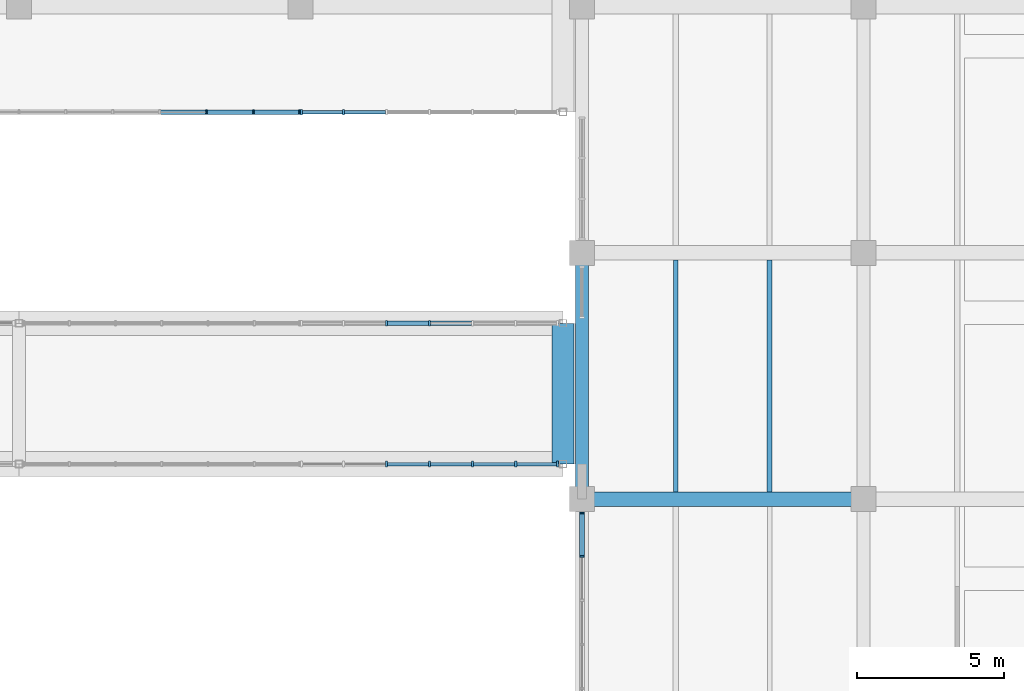
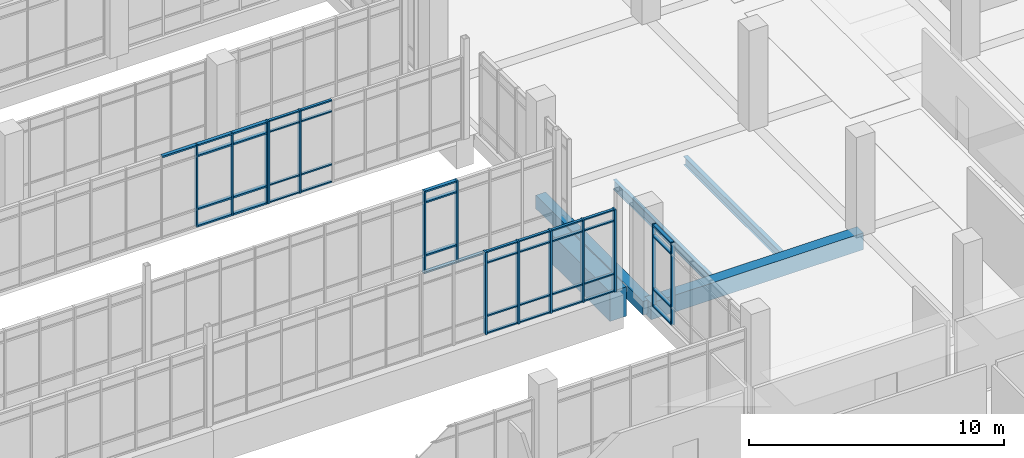
# One storey, part 57 of 152: 56 members, 5 beams, 5 elements without a shape of their own.
"""IFC4 building model written with IfcOpenShell, lengths in metres."""

from ifc_helpers import new_model, si_unit, direction, frame, origin, origin_2d, place, context, subcontext, project, spatial, rectangle, i_section, extrude, material, material_profile, profile_set, type_object, element, aggregate, save


model = new_model("IFC4")

# Units and contexts
model_context = context("Model", 3, precision=1e-05, world=origin(), true_north=direction((0.0, 1.0)))
body_context = subcontext(model_context, "Body", "Model", "MODEL_VIEW")
ifc_project = project(units=[si_unit("LENGTHUNIT", "METRE"), si_unit("AREAUNIT", "SQUARE_METRE"), si_unit("VOLUMEUNIT", "CUBIC_METRE"), si_unit("PLANEANGLEUNIT", "RADIAN"), si_unit("MASSUNIT", "GRAM", prefix="KILO")], contexts=[model_context])

# Site, building, storey
site_placement = place(None, origin())
site = spatial("IfcSite", under=ifc_project, at=site_placement, CompositionType="ELEMENT")
building_placement = place(site_placement, origin())
building = spatial("IfcBuilding", under=site, at=building_placement, Name="Oolite Switchyard Hospital", CompositionType="ELEMENT")
storey_placement = place(building_placement, frame((0.0, 0.0, 5.10009765625)))
storey = spatial("IfcBuildingStorey", under=building, at=storey_placement, Name="L01", CompositionType="ELEMENT", Elevation=5.10009765625)

# Beams
ifc_material_1 = material(Name="Concrete C40/50", Category="concrete")
ifc_material_profile_1 = material_profile(ifc_material_1, rectangle(XDim=0.449951171875, YDim=0.64990234375, at=origin_2d()), Name="RCB450X650")
ifc_profile_set_1 = profile_set([ifc_material_profile_1], Name="Concrete C40/50")
beam_type_1 = type_object("IfcBeamType", Name="BM-RC450X650", PredefinedType="BEAM", material=ifc_profile_set_1)
beam_1_placement = place(storey_placement, frame((182.39990234375, 33.60009765625, -0.3251953125), z_axis=(0.0, 1.0, 0.0), x_axis=(-1.0, 0.0, 0.0)))
element("IfcBeam", 1, at=beam_1_placement, inside=storey, type_object=beam_type_1, Name="L01 Y-Girder 514", PredefinedType="BEAM", context=body_context, shape_type="SweptSolid", body=[
    extrude(rectangle(XDim=0.449951171875, YDim=0.64990234375, at=origin_2d()), origin(), (0.0, 0.0, 1.0), 8.39990234375),
])
ifc_material_profile_2 = material_profile(ifc_material_1, rectangle(XDim=0.5, YDim=0.800048828125, at=origin_2d()), Name="RCB500X800")
ifc_profile_set_2 = profile_set([ifc_material_profile_2], Name="Concrete C40/50")
beam_type_2 = type_object("IfcBeamType", Name="BM-RC500X800", PredefinedType="BEAM", material=ifc_profile_set_2)
beam_2_placement = place(storey_placement, frame((182.39990234375, 33.60009765625, -0.400146484375), z_axis=(1.0, 0.0, 0.0), x_axis=(0.0, 1.0, 0.0)))
element("IfcBeam", 2, at=beam_2_placement, inside=storey, type_object=beam_type_2, Name="L01 X-Girder 77", PredefinedType="BEAM", context=body_context, shape_type="SweptSolid", body=[
    extrude(rectangle(XDim=0.5, YDim=0.800048828125, at=origin_2d()), origin(), (0.0, 0.0, 1.0), 9.60009765625),
])
ifc_material_profile_3 = material_profile(ifc_material_1, rectangle(XDim=0.75, YDim=1.39990234375, at=origin_2d()), Name="RCT750X1400")
ifc_profile_set_3 = profile_set([ifc_material_profile_3], Name="Concrete C40/50")
beam_type_3 = type_object("IfcBeamType", Name="BM-TR750X1400", PredefinedType="BEAM", material=ifc_profile_set_3)
beam_3_placement = place(storey_placement, frame((181.75, 34.800048828125, -0.7001953125), z_axis=(0.0, 1.0, 0.0), x_axis=(-1.0, 0.0, 0.0)))
element("IfcBeam", 3, at=beam_3_placement, inside=storey, type_object=beam_type_3, Name="L01 Y-Girder 509", PredefinedType="BEAM", context=body_context, shape_type="SweptSolid", body=[
    extrude(rectangle(XDim=0.75, YDim=1.39990234375, at=origin_2d()), origin(), (0.0, 0.0, 1.0), 4.800048828125),
])
ifc_material_2 = material(Name="Steel ASTM A992 Grade 50", Category="steel")
ifc_material_profile_4 = material_profile(ifc_material_2, i_section(OverallWidth=0.179931640625, OverallDepth=0.4130859375, WebThickness=0.010009765625, FlangeThickness=0.01611328125, at=origin_2d()), Name="W16X50")
ifc_profile_set_4 = profile_set([ifc_material_profile_4], Name="Steel ASTM A992 Grade 50")
beam_type_4 = type_object("IfcBeamType", Name="BM-W16X50", PredefinedType="JOIST", material=ifc_profile_set_4)
beam_4_placement = place(storey_placement, frame((188.800048828125, 33.85009765625, -0.482177734375), z_axis=(0.0, 1.0, 0.0), x_axis=(-1.0, 0.0, 0.0)))
element("IfcBeam", 4, at=beam_4_placement, inside=storey, type_object=beam_type_4, Name="L01 Secondary Steel Joist 935", PredefinedType="JOIST", context=body_context, shape_type="SweptSolid", body=[
    extrude(i_section(OverallWidth=0.179931640625, OverallDepth=0.4130859375, WebThickness=0.010009765625, FlangeThickness=0.01611328125, at=origin_2d()), origin(), (0.0, 0.0, 1.0), 7.89990234375),
])
ifc_material_profile_5 = material_profile(ifc_material_2, i_section(OverallWidth=0.153076171875, OverallDepth=0.455078125, WebThickness=0.008056640625, FlangeThickness=0.012939453125, at=origin_2d()), Name="W18X40")
ifc_profile_set_5 = profile_set([ifc_material_profile_5], Name="Steel ASTM A992 Grade 50")
beam_type_5 = type_object("IfcBeamType", Name="BM-W18X40", PredefinedType="JOIST", material=ifc_profile_set_5)
beam_5_placement = place(storey_placement, frame((185.60009765625, 33.85009765625, -0.503173828125), z_axis=(0.0, 1.0, 0.0), x_axis=(-1.0, 0.0, 0.0)))
element("IfcBeam", 5, at=beam_5_placement, inside=storey, type_object=beam_type_5, Name="L01 Secondary Steel Joist 934", PredefinedType="JOIST", context=body_context, shape_type="SweptSolid", body=[
    extrude(i_section(OverallWidth=0.153076171875, OverallDepth=0.455078125, WebThickness=0.008056640625, FlangeThickness=0.012939453125, at=origin_2d()), origin(), (0.0, 0.0, 1.0), 7.89990234375),
])

# Curtain wall, members
ifc_material_3 = material(Name="Thermally broken aluminum frame with laminated impact glazing", Category="aluminium")
curtain_wall_type_1 = type_object("IfcCurtainWallType", Name="CW-BRG-96X38", PredefinedType="USERDEFINED", material=ifc_material_3)
curtain_wall_1_placement = place(storey_placement, origin())
curtain_wall_1 = element("IfcCurtainWall", 6, at=curtain_wall_1_placement, inside=storey, type_object=curtain_wall_type_1, Name="L01 Unitised Curtain Wall 125", ObjectType="UNITISED", PredefinedType="USERDEFINED")
ifc_material_4 = material(Name="Aluminium 6063-T6", Category="aluminium")
ifc_material_profile_6 = material_profile(ifc_material_4, rectangle(XDim=0.159912109375, YDim=0.06005859375, at=origin_2d()), Name="CWM60X160")
ifc_profile_set_6 = profile_set([ifc_material_profile_6], Name="Aluminium 6063-T6")
member_type_1 = type_object("IfcMemberType", Name="CW-MUL-180", PredefinedType="MULLION", material=ifc_profile_set_6)
member_1_placement = place(storey_placement, frame((172.77001953125, 46.800048828125, 0.0), z_axis=(0.0, 0.0, 1.0), x_axis=(0.0, -1.0, 0.0)))
member_1 = element("IfcMember", 7, at=member_1_placement, type_object=member_type_1, Name="CW-12 mullion 1", PredefinedType="MULLION", context=body_context, shape_type="SweptSolid", body=[
    extrude(rectangle(XDim=0.159912109375, YDim=0.06005859375, at=origin_2d()), origin(), (0.0, 0.0, 1.0), 3.93994140625),
])
member_2_placement = place(storey_placement, frame((171.199951171875, 46.800048828125, 0.0), z_axis=(0.0, 0.0, 1.0), x_axis=(0.0, -1.0, 0.0)))
member_2 = element("IfcMember", 8, at=member_2_placement, type_object=member_type_1, Name="CW-12 mullion 2", PredefinedType="MULLION", context=body_context, shape_type="SweptSolid", body=[
    extrude(rectangle(XDim=0.159912109375, YDim=0.06005859375, at=origin_2d()), origin(), (0.0, 0.0, 1.0), 3.93994140625),
])
member_3_placement = place(storey_placement, frame((169.60009765625, 46.800048828125, 0.0), z_axis=(0.0, 0.0, 1.0), x_axis=(0.0, -1.0, 0.0)))
member_3 = element("IfcMember", 9, at=member_3_placement, type_object=member_type_1, Name="CW-12 mullion 3", PredefinedType="MULLION", context=body_context, shape_type="SweptSolid", body=[
    extrude(rectangle(XDim=0.159912109375, YDim=0.06005859375, at=origin_2d()), origin(), (0.0, 0.0, 1.0), 3.93994140625),
])

curtain_wall_type_2 = type_object("IfcCurtainWallType", Name="CW-UNIT-84X48", PredefinedType="USERDEFINED", material=ifc_material_3)
curtain_wall_2_placement = place(storey_placement, origin())
curtain_wall_2 = element("IfcCurtainWall", 10, at=curtain_wall_2_placement, inside=storey, type_object=curtain_wall_type_2, Name="L01 Unitised Curtain Wall 197", ObjectType="UNITISED", PredefinedType="USERDEFINED")
member_4_placement = place(storey_placement, frame((182.39990234375, 31.656005859375, 0.0), z_axis=(0.0, 0.0, 1.0), x_axis=(-1.0, 0.0, 0.0)))
member_4 = element("IfcMember", 11, at=member_4_placement, type_object=member_type_1, Name="CW-07 mullion 5", PredefinedType="MULLION", context=body_context, shape_type="SweptSolid", body=[
    extrude(rectangle(XDim=0.159912109375, YDim=0.06005859375, at=origin_2d()), origin(), (0.0, 0.0, 1.0), 3.93994140625),
])
member_5_placement = place(storey_placement, frame((182.39990234375, 33.1298828125, 0.0), z_axis=(0.0, 0.0, 1.0), x_axis=(-1.0, 0.0, 0.0)))
member_5 = element("IfcMember", 12, at=member_5_placement, type_object=member_type_1, Name="CW-07 mullion 6", PredefinedType="MULLION", context=body_context, shape_type="SweptSolid", body=[
    extrude(rectangle(XDim=0.159912109375, YDim=0.06005859375, at=origin_2d()), origin(), (0.0, 0.0, 1.0), 3.93994140625),
])

curtain_wall_3_placement = place(storey_placement, origin())
curtain_wall_3 = element("IfcCurtainWall", 13, at=curtain_wall_3_placement, inside=storey, type_object=curtain_wall_type_1, Name="L01 Unitised Curtain Wall 123", ObjectType="UNITISED", PredefinedType="USERDEFINED")
ifc_material_profile_7 = material_profile(ifc_material_4, rectangle(XDim=0.179931640625, YDim=0.070068359375, at=origin_2d()), Name="CWM70X180")
ifc_profile_set_7 = profile_set([ifc_material_profile_7], Name="Aluminium 6063-T6")
member_type_2 = type_object("IfcMemberType", Name="CW-MUL-220", PredefinedType="MULLION", material=ifc_profile_set_7)
member_6_placement = place(storey_placement, frame((175.736083984375, 39.60009765625, 0.0), z_axis=(0.0, 0.0, 1.0), x_axis=(0.0, 1.0, 0.0)))
member_6 = element("IfcMember", 14, at=member_6_placement, type_object=member_type_2, Name="CW-12 mullion 3", PredefinedType="MULLION", context=body_context, shape_type="SweptSolid", body=[
    extrude(rectangle(XDim=0.179931640625, YDim=0.070068359375, at=origin_2d()), origin(), (0.0, 0.0, 1.0), 3.93994140625),
])
member_7_placement = place(storey_placement, frame((177.2041015625, 39.60009765625, 0.0), z_axis=(0.0, 0.0, 1.0), x_axis=(0.0, 1.0, 0.0)))
member_7 = element("IfcMember", 15, at=member_7_placement, type_object=member_type_2, Name="CW-12 mullion 4", PredefinedType="MULLION", context=body_context, shape_type="SweptSolid", body=[
    extrude(rectangle(XDim=0.179931640625, YDim=0.070068359375, at=origin_2d()), origin(), (0.0, 0.0, 1.0), 3.93994140625),
])

curtain_wall_4_placement = place(storey_placement, origin())
curtain_wall_4 = element("IfcCurtainWall", 16, at=curtain_wall_4_placement, inside=storey, type_object=curtain_wall_type_1, Name="L01 Unitised Curtain Wall 126", ObjectType="UNITISED", PredefinedType="USERDEFINED")
member_8_placement = place(storey_placement, frame((174.26806640625, 46.800048828125, 0.0), z_axis=(0.0, 0.0, 1.0), x_axis=(0.0, -1.0, 0.0)))
member_8 = element("IfcMember", 17, at=member_8_placement, type_object=member_type_2, Name="CW-12 mullion 6", PredefinedType="MULLION", context=body_context, shape_type="SweptSolid", body=[
    extrude(rectangle(XDim=0.179931640625, YDim=0.070068359375, at=origin_2d()), origin(), (0.0, 0.0, 1.0), 3.93994140625),
])
member_9_placement = place(storey_placement, frame((172.8349609375, 46.800048828125, 0.0), z_axis=(0.0, 0.0, 1.0), x_axis=(0.0, -1.0, 0.0)))
member_9 = element("IfcMember", 18, at=member_9_placement, type_object=member_type_2, Name="CW-12 mullion 7", PredefinedType="MULLION", context=body_context, shape_type="SweptSolid", body=[
    extrude(rectangle(XDim=0.179931640625, YDim=0.070068359375, at=origin_2d()), origin(), (0.0, 0.0, 1.0), 3.93994140625),
])

curtain_wall_5_placement = place(storey_placement, origin())
curtain_wall_5 = element("IfcCurtainWall", 19, at=curtain_wall_5_placement, inside=storey, type_object=curtain_wall_type_1, Name="L01 Unitised Curtain Wall 118", ObjectType="UNITISED", PredefinedType="USERDEFINED")
ifc_material_profile_8 = material_profile(ifc_material_4, rectangle(XDim=0.199951171875, YDim=0.074951171875, at=origin_2d()), Name="CWM75X200")
ifc_profile_set_8 = profile_set([ifc_material_profile_8], Name="Aluminium 6063-T6")
member_type_3 = type_object("IfcMemberType", Name="CW-MUL-260", PredefinedType="MULLION", material=ifc_profile_set_8)
member_10_placement = place(storey_placement, frame((181.570556640625, 34.800048828125, 0.0), z_axis=(0.0, 0.0, 1.0), x_axis=(0.0, -1.0, 0.0)))
member_10 = element("IfcMember", 20, at=member_10_placement, type_object=member_type_3, Name="CW-12 mullion 1", PredefinedType="MULLION", context=body_context, shape_type="SweptSolid", body=[
    extrude(rectangle(XDim=0.199951171875, YDim=0.074951171875, at=origin_2d()), origin(), (0.0, 0.0, 1.0), 3.93994140625),
])
member_11_placement = place(storey_placement, frame((180.139892578125, 34.800048828125, 0.0), z_axis=(0.0, 0.0, 1.0), x_axis=(0.0, -1.0, 0.0)))
member_11 = element("IfcMember", 21, at=member_11_placement, type_object=member_type_3, Name="CW-12 mullion 2", PredefinedType="MULLION", context=body_context, shape_type="SweptSolid", body=[
    extrude(rectangle(XDim=0.199951171875, YDim=0.074951171875, at=origin_2d()), origin(), (0.0, 0.0, 1.0), 3.93994140625),
])
member_12_placement = place(storey_placement, frame((178.672119140625, 34.800048828125, 0.0), z_axis=(0.0, 0.0, 1.0), x_axis=(0.0, -1.0, 0.0)))
member_12 = element("IfcMember", 22, at=member_12_placement, type_object=member_type_3, Name="CW-12 mullion 3", PredefinedType="MULLION", context=body_context, shape_type="SweptSolid", body=[
    extrude(rectangle(XDim=0.199951171875, YDim=0.074951171875, at=origin_2d()), origin(), (0.0, 0.0, 1.0), 3.93994140625),
])
member_13_placement = place(storey_placement, frame((177.2041015625, 34.800048828125, 0.0), z_axis=(0.0, 0.0, 1.0), x_axis=(0.0, -1.0, 0.0)))
member_13 = element("IfcMember", 23, at=member_13_placement, type_object=member_type_3, Name="CW-12 mullion 4", PredefinedType="MULLION", context=body_context, shape_type="SweptSolid", body=[
    extrude(rectangle(XDim=0.199951171875, YDim=0.074951171875, at=origin_2d()), origin(), (0.0, 0.0, 1.0), 3.93994140625),
])
member_14_placement = place(storey_placement, frame((175.736083984375, 34.800048828125, 0.0), z_axis=(0.0, 0.0, 1.0), x_axis=(0.0, -1.0, 0.0)))
member_14 = element("IfcMember", 24, at=member_14_placement, type_object=member_type_3, Name="CW-12 mullion 5", PredefinedType="MULLION", context=body_context, shape_type="SweptSolid", body=[
    extrude(rectangle(XDim=0.199951171875, YDim=0.074951171875, at=origin_2d()), origin(), (0.0, 0.0, 1.0), 3.93994140625),
])
ifc_material_profile_9 = material_profile(ifc_material_4, rectangle(XDim=0.1201171875, YDim=0.06005859375, at=origin_2d()), Name="CWT60X120")
ifc_profile_set_9 = profile_set([ifc_material_profile_9], Name="Aluminium 6063-T6")
member_type_4 = type_object("IfcMemberType", Name="CW-TRN-150", PredefinedType="USERDEFINED", material=ifc_profile_set_9)
member_15_placement = place(storey_placement, frame((181.532958984375, 34.800048828125, 0.02978515625), z_axis=(-1.0, 0.0, 0.0), x_axis=(0.0, -1.0, 0.0)))
member_15 = element("IfcMember", 25, at=member_15_placement, type_object=member_type_4, Name="CW-12 transom 1.1", ObjectType="TRANSOM", PredefinedType="USERDEFINED", context=body_context, shape_type="SweptSolid", body=[
    extrude(rectangle(XDim=0.1201171875, YDim=0.06005859375, at=origin_2d()), origin(), (0.0, 0.0, 1.0), 1.35546875),
])
member_16_placement = place(storey_placement, frame((181.532958984375, 34.800048828125, 0.849853515625), z_axis=(-1.0, 0.0, 0.0), x_axis=(0.0, -1.0, 0.0)))
member_16 = element("IfcMember", 26, at=member_16_placement, type_object=member_type_4, Name="CW-12 transom 1.2", ObjectType="TRANSOM", PredefinedType="USERDEFINED", context=body_context, shape_type="SweptSolid", body=[
    extrude(rectangle(XDim=0.1201171875, YDim=0.06005859375, at=origin_2d()), origin(), (0.0, 0.0, 1.0), 1.35546875),
])
member_17_placement = place(storey_placement, frame((181.532958984375, 34.800048828125, 3.389892578125), z_axis=(-1.0, 0.0, 0.0), x_axis=(0.0, -1.0, 0.0)))
member_17 = element("IfcMember", 27, at=member_17_placement, type_object=member_type_4, Name="CW-12 transom 1.3", ObjectType="TRANSOM", PredefinedType="USERDEFINED", context=body_context, shape_type="SweptSolid", body=[
    extrude(rectangle(XDim=0.1201171875, YDim=0.06005859375, at=origin_2d()), origin(), (0.0, 0.0, 1.0), 1.35546875),
])
member_18_placement = place(storey_placement, frame((181.532958984375, 34.800048828125, 3.909912109375), z_axis=(-1.0, 0.0, 0.0), x_axis=(0.0, -1.0, 0.0)))
member_18 = element("IfcMember", 28, at=member_18_placement, type_object=member_type_4, Name="CW-12 transom 1.4", ObjectType="TRANSOM", PredefinedType="USERDEFINED", context=body_context, shape_type="SweptSolid", body=[
    extrude(rectangle(XDim=0.1201171875, YDim=0.06005859375, at=origin_2d()), origin(), (0.0, 0.0, 1.0), 1.35546875),
])
member_19_placement = place(storey_placement, frame((180.1025390625, 34.800048828125, 0.02978515625), z_axis=(-1.0, 0.0, 0.0), x_axis=(0.0, -1.0, 0.0)))
member_19 = element("IfcMember", 29, at=member_19_placement, type_object=member_type_4, Name="CW-12 transom 2.1", ObjectType="TRANSOM", PredefinedType="USERDEFINED", context=body_context, shape_type="SweptSolid", body=[
    extrude(rectangle(XDim=0.1201171875, YDim=0.06005859375, at=origin_2d()), origin(), (0.0, 0.0, 1.0), 1.39306640625),
])
member_20_placement = place(storey_placement, frame((180.1025390625, 34.800048828125, 0.849853515625), z_axis=(-1.0, 0.0, 0.0), x_axis=(0.0, -1.0, 0.0)))
member_20 = element("IfcMember", 30, at=member_20_placement, type_object=member_type_4, Name="CW-12 transom 2.2", ObjectType="TRANSOM", PredefinedType="USERDEFINED", context=body_context, shape_type="SweptSolid", body=[
    extrude(rectangle(XDim=0.1201171875, YDim=0.06005859375, at=origin_2d()), origin(), (0.0, 0.0, 1.0), 1.39306640625),
])
member_21_placement = place(storey_placement, frame((180.1025390625, 34.800048828125, 3.389892578125), z_axis=(-1.0, 0.0, 0.0), x_axis=(0.0, -1.0, 0.0)))
member_21 = element("IfcMember", 31, at=member_21_placement, type_object=member_type_4, Name="CW-12 transom 2.3", ObjectType="TRANSOM", PredefinedType="USERDEFINED", context=body_context, shape_type="SweptSolid", body=[
    extrude(rectangle(XDim=0.1201171875, YDim=0.06005859375, at=origin_2d()), origin(), (0.0, 0.0, 1.0), 1.39306640625),
])
member_22_placement = place(storey_placement, frame((180.1025390625, 34.800048828125, 3.909912109375), z_axis=(-1.0, 0.0, 0.0), x_axis=(0.0, -1.0, 0.0)))
member_22 = element("IfcMember", 32, at=member_22_placement, type_object=member_type_4, Name="CW-12 transom 2.4", ObjectType="TRANSOM", PredefinedType="USERDEFINED", context=body_context, shape_type="SweptSolid", body=[
    extrude(rectangle(XDim=0.1201171875, YDim=0.06005859375, at=origin_2d()), origin(), (0.0, 0.0, 1.0), 1.39306640625),
])
member_23_placement = place(storey_placement, frame((178.634521484375, 34.800048828125, 0.02978515625), z_axis=(-1.0, 0.0, 0.0), x_axis=(0.0, -1.0, 0.0)))
member_23 = element("IfcMember", 33, at=member_23_placement, type_object=member_type_4, Name="CW-12 transom 3.1", ObjectType="TRANSOM", PredefinedType="USERDEFINED", context=body_context, shape_type="SweptSolid", body=[
    extrude(rectangle(XDim=0.1201171875, YDim=0.06005859375, at=origin_2d()), origin(), (0.0, 0.0, 1.0), 1.39306640625),
])
member_24_placement = place(storey_placement, frame((178.634521484375, 34.800048828125, 0.849853515625), z_axis=(-1.0, 0.0, 0.0), x_axis=(0.0, -1.0, 0.0)))
member_24 = element("IfcMember", 34, at=member_24_placement, type_object=member_type_4, Name="CW-12 transom 3.2", ObjectType="TRANSOM", PredefinedType="USERDEFINED", context=body_context, shape_type="SweptSolid", body=[
    extrude(rectangle(XDim=0.1201171875, YDim=0.06005859375, at=origin_2d()), origin(), (0.0, 0.0, 1.0), 1.39306640625),
])
member_25_placement = place(storey_placement, frame((178.634521484375, 34.800048828125, 3.389892578125), z_axis=(-1.0, 0.0, 0.0), x_axis=(0.0, -1.0, 0.0)))
member_25 = element("IfcMember", 35, at=member_25_placement, type_object=member_type_4, Name="CW-12 transom 3.3", ObjectType="TRANSOM", PredefinedType="USERDEFINED", context=body_context, shape_type="SweptSolid", body=[
    extrude(rectangle(XDim=0.1201171875, YDim=0.06005859375, at=origin_2d()), origin(), (0.0, 0.0, 1.0), 1.39306640625),
])
member_26_placement = place(storey_placement, frame((178.634521484375, 34.800048828125, 3.909912109375), z_axis=(-1.0, 0.0, 0.0), x_axis=(0.0, -1.0, 0.0)))
member_26 = element("IfcMember", 36, at=member_26_placement, type_object=member_type_4, Name="CW-12 transom 3.4", ObjectType="TRANSOM", PredefinedType="USERDEFINED", context=body_context, shape_type="SweptSolid", body=[
    extrude(rectangle(XDim=0.1201171875, YDim=0.06005859375, at=origin_2d()), origin(), (0.0, 0.0, 1.0), 1.39306640625),
])
member_27_placement = place(storey_placement, frame((177.16650390625, 34.800048828125, 0.02978515625), z_axis=(-1.0, 0.0, 0.0), x_axis=(0.0, -1.0, 0.0)))
member_27 = element("IfcMember", 37, at=member_27_placement, type_object=member_type_4, Name="CW-12 transom 4.1", ObjectType="TRANSOM", PredefinedType="USERDEFINED", context=body_context, shape_type="SweptSolid", body=[
    extrude(rectangle(XDim=0.1201171875, YDim=0.06005859375, at=origin_2d()), origin(), (0.0, 0.0, 1.0), 1.39306640625),
])
member_28_placement = place(storey_placement, frame((177.16650390625, 34.800048828125, 0.849853515625), z_axis=(-1.0, 0.0, 0.0), x_axis=(0.0, -1.0, 0.0)))
member_28 = element("IfcMember", 38, at=member_28_placement, type_object=member_type_4, Name="CW-12 transom 4.2", ObjectType="TRANSOM", PredefinedType="USERDEFINED", context=body_context, shape_type="SweptSolid", body=[
    extrude(rectangle(XDim=0.1201171875, YDim=0.06005859375, at=origin_2d()), origin(), (0.0, 0.0, 1.0), 1.39306640625),
])
member_29_placement = place(storey_placement, frame((177.16650390625, 34.800048828125, 3.389892578125), z_axis=(-1.0, 0.0, 0.0), x_axis=(0.0, -1.0, 0.0)))
member_29 = element("IfcMember", 39, at=member_29_placement, type_object=member_type_4, Name="CW-12 transom 4.3", ObjectType="TRANSOM", PredefinedType="USERDEFINED", context=body_context, shape_type="SweptSolid", body=[
    extrude(rectangle(XDim=0.1201171875, YDim=0.06005859375, at=origin_2d()), origin(), (0.0, 0.0, 1.0), 1.39306640625),
])
member_30_placement = place(storey_placement, frame((177.16650390625, 34.800048828125, 3.909912109375), z_axis=(-1.0, 0.0, 0.0), x_axis=(0.0, -1.0, 0.0)))
member_30 = element("IfcMember", 40, at=member_30_placement, type_object=member_type_4, Name="CW-12 transom 4.4", ObjectType="TRANSOM", PredefinedType="USERDEFINED", context=body_context, shape_type="SweptSolid", body=[
    extrude(rectangle(XDim=0.1201171875, YDim=0.06005859375, at=origin_2d()), origin(), (0.0, 0.0, 1.0), 1.39306640625),
])
aggregate(curtain_wall_5, [member_10, member_11, member_12, member_13, member_14, member_15, member_16, member_17, member_18, member_19, member_20, member_21, member_22, member_23, member_24, member_25, member_26, member_27, member_28, member_29, member_30])

# Member
member_31_placement = place(storey_placement, frame((175.700927734375, 46.800048828125, 0.02978515625), z_axis=(-1.0, 0.0, 0.0), x_axis=(0.0, -1.0, 0.0)))
member_31 = element("IfcMember", 41, at=member_31_placement, type_object=member_type_4, Name="CW-12 transom 5.1", ObjectType="TRANSOM", PredefinedType="USERDEFINED", context=body_context, shape_type="SweptSolid", body=[
    extrude(rectangle(XDim=0.1201171875, YDim=0.06005859375, at=origin_2d()), origin(), (0.0, 0.0, 1.0), 1.39794921875),
])

member_32_placement = place(storey_placement, frame((175.700927734375, 46.800048828125, 0.849853515625), z_axis=(-1.0, 0.0, 0.0), x_axis=(0.0, -1.0, 0.0)))
member_32 = element("IfcMember", 42, at=member_32_placement, type_object=member_type_4, Name="CW-12 transom 5.2", ObjectType="TRANSOM", PredefinedType="USERDEFINED", context=body_context, shape_type="SweptSolid", body=[
    extrude(rectangle(XDim=0.1201171875, YDim=0.06005859375, at=origin_2d()), origin(), (0.0, 0.0, 1.0), 1.39794921875),
])

member_33_placement = place(storey_placement, frame((175.700927734375, 46.800048828125, 3.389892578125), z_axis=(-1.0, 0.0, 0.0), x_axis=(0.0, -1.0, 0.0)))
member_33 = element("IfcMember", 43, at=member_33_placement, type_object=member_type_4, Name="CW-12 transom 5.3", ObjectType="TRANSOM", PredefinedType="USERDEFINED", context=body_context, shape_type="SweptSolid", body=[
    extrude(rectangle(XDim=0.1201171875, YDim=0.06005859375, at=origin_2d()), origin(), (0.0, 0.0, 1.0), 1.39794921875),
])

member_34_placement = place(storey_placement, frame((175.700927734375, 46.800048828125, 3.909912109375), z_axis=(-1.0, 0.0, 0.0), x_axis=(0.0, -1.0, 0.0)))
member_34 = element("IfcMember", 44, at=member_34_placement, type_object=member_type_4, Name="CW-12 transom 5.4", ObjectType="TRANSOM", PredefinedType="USERDEFINED", context=body_context, shape_type="SweptSolid", body=[
    extrude(rectangle(XDim=0.1201171875, YDim=0.06005859375, at=origin_2d()), origin(), (0.0, 0.0, 1.0), 1.39794921875),
])

member_35_placement = place(storey_placement, frame((174.23291015625, 46.800048828125, 0.02978515625), z_axis=(-1.0, 0.0, 0.0), x_axis=(0.0, -1.0, 0.0)))
member_35 = element("IfcMember", 45, at=member_35_placement, type_object=member_type_4, Name="CW-12 transom 6.1", ObjectType="TRANSOM", PredefinedType="USERDEFINED", context=body_context, shape_type="SweptSolid", body=[
    extrude(rectangle(XDim=0.1201171875, YDim=0.06005859375, at=origin_2d()), origin(), (0.0, 0.0, 1.0), 1.36279296875),
])

member_36_placement = place(storey_placement, frame((174.23291015625, 46.800048828125, 0.849853515625), z_axis=(-1.0, 0.0, 0.0), x_axis=(0.0, -1.0, 0.0)))
member_36 = element("IfcMember", 46, at=member_36_placement, type_object=member_type_4, Name="CW-12 transom 6.2", ObjectType="TRANSOM", PredefinedType="USERDEFINED", context=body_context, shape_type="SweptSolid", body=[
    extrude(rectangle(XDim=0.1201171875, YDim=0.06005859375, at=origin_2d()), origin(), (0.0, 0.0, 1.0), 1.36279296875),
])

member_37_placement = place(storey_placement, frame((174.23291015625, 46.800048828125, 3.389892578125), z_axis=(-1.0, 0.0, 0.0), x_axis=(0.0, -1.0, 0.0)))
member_37 = element("IfcMember", 47, at=member_37_placement, type_object=member_type_4, Name="CW-12 transom 6.3", ObjectType="TRANSOM", PredefinedType="USERDEFINED", context=body_context, shape_type="SweptSolid", body=[
    extrude(rectangle(XDim=0.1201171875, YDim=0.06005859375, at=origin_2d()), origin(), (0.0, 0.0, 1.0), 1.36279296875),
])

member_38_placement = place(storey_placement, frame((174.23291015625, 46.800048828125, 3.909912109375), z_axis=(-1.0, 0.0, 0.0), x_axis=(0.0, -1.0, 0.0)))
member_38 = element("IfcMember", 48, at=member_38_placement, type_object=member_type_4, Name="CW-12 transom 6.4", ObjectType="TRANSOM", PredefinedType="USERDEFINED", context=body_context, shape_type="SweptSolid", body=[
    extrude(rectangle(XDim=0.1201171875, YDim=0.06005859375, at=origin_2d()), origin(), (0.0, 0.0, 1.0), 1.36279296875),
])

aggregate(curtain_wall_4, [member_8, member_9, member_31, member_32, member_33, member_34, member_35, member_36, member_37, member_38])

ifc_material_profile_10 = material_profile(ifc_material_4, rectangle(XDim=0.159912109375, YDim=0.074951171875, at=origin_2d()), Name="CWT75X160")
ifc_profile_set_10 = profile_set([ifc_material_profile_10], Name="Aluminium 6063-T6")
member_type_5 = type_object("IfcMemberType", Name="CW-TRN-180", PredefinedType="USERDEFINED", material=ifc_profile_set_10)
member_39_placement = place(storey_placement, frame((175.77099609375, 39.60009765625, 0.037353515625), z_axis=(1.0, 0.0, 0.0), x_axis=(0.0, 1.0, 0.0)))
member_39 = element("IfcMember", 49, at=member_39_placement, type_object=member_type_5, Name="CW-12 transom 3.1", ObjectType="TRANSOM", PredefinedType="USERDEFINED", context=body_context, shape_type="SweptSolid", body=[
    extrude(rectangle(XDim=0.159912109375, YDim=0.074951171875, at=origin_2d()), origin(), (0.0, 0.0, 1.0), 1.39794921875),
])

member_40_placement = place(storey_placement, frame((175.77099609375, 39.60009765625, 0.849853515625), z_axis=(1.0, 0.0, 0.0), x_axis=(0.0, 1.0, 0.0)))
member_40 = element("IfcMember", 50, at=member_40_placement, type_object=member_type_5, Name="CW-12 transom 3.2", ObjectType="TRANSOM", PredefinedType="USERDEFINED", context=body_context, shape_type="SweptSolid", body=[
    extrude(rectangle(XDim=0.159912109375, YDim=0.074951171875, at=origin_2d()), origin(), (0.0, 0.0, 1.0), 1.39794921875),
])

member_41_placement = place(storey_placement, frame((175.77099609375, 39.60009765625, 3.389892578125), z_axis=(1.0, 0.0, 0.0), x_axis=(0.0, 1.0, 0.0)))
member_41 = element("IfcMember", 51, at=member_41_placement, type_object=member_type_5, Name="CW-12 transom 3.3", ObjectType="TRANSOM", PredefinedType="USERDEFINED", context=body_context, shape_type="SweptSolid", body=[
    extrude(rectangle(XDim=0.159912109375, YDim=0.074951171875, at=origin_2d()), origin(), (0.0, 0.0, 1.0), 1.39794921875),
])

member_42_placement = place(storey_placement, frame((175.77099609375, 39.60009765625, 3.90234375), z_axis=(1.0, 0.0, 0.0), x_axis=(0.0, 1.0, 0.0)))
member_42 = element("IfcMember", 52, at=member_42_placement, type_object=member_type_5, Name="CW-12 transom 3.4", ObjectType="TRANSOM", PredefinedType="USERDEFINED", context=body_context, shape_type="SweptSolid", body=[
    extrude(rectangle(XDim=0.159912109375, YDim=0.074951171875, at=origin_2d()), origin(), (0.0, 0.0, 1.0), 1.39794921875),
])

member_43_placement = place(storey_placement, frame((177.239013671875, 39.60009765625, 0.037353515625), z_axis=(1.0, 0.0, 0.0), x_axis=(0.0, 1.0, 0.0)))
member_43 = element("IfcMember", 53, at=member_43_placement, type_object=member_type_5, Name="CW-12 transom 4.1", ObjectType="TRANSOM", PredefinedType="USERDEFINED", context=body_context, shape_type="SweptSolid", body=[
    extrude(rectangle(XDim=0.159912109375, YDim=0.074951171875, at=origin_2d()), origin(), (0.0, 0.0, 1.0), 1.39794921875),
])

aggregate(curtain_wall_3, [member_6, member_7, member_39, member_40, member_41, member_42, member_43])

member_44_placement = place(storey_placement, frame((172.739990234375, 46.800048828125, 0.037353515625), z_axis=(-1.0, 0.0, 0.0), x_axis=(0.0, -1.0, 0.0)))
member_44 = element("IfcMember", 54, at=member_44_placement, type_object=member_type_5, Name="CW-12 transom 1.1", ObjectType="TRANSOM", PredefinedType="USERDEFINED", context=body_context, shape_type="SweptSolid", body=[
    extrude(rectangle(XDim=0.159912109375, YDim=0.074951171875, at=origin_2d()), origin(), (0.0, 0.0, 1.0), 1.510009765625),
])

member_45_placement = place(storey_placement, frame((172.739990234375, 46.800048828125, 0.849853515625), z_axis=(-1.0, 0.0, 0.0), x_axis=(0.0, -1.0, 0.0)))
member_45 = element("IfcMember", 55, at=member_45_placement, type_object=member_type_5, Name="CW-12 transom 1.2", ObjectType="TRANSOM", PredefinedType="USERDEFINED", context=body_context, shape_type="SweptSolid", body=[
    extrude(rectangle(XDim=0.159912109375, YDim=0.074951171875, at=origin_2d()), origin(), (0.0, 0.0, 1.0), 1.510009765625),
])

member_46_placement = place(storey_placement, frame((172.739990234375, 46.800048828125, 3.389892578125), z_axis=(-1.0, 0.0, 0.0), x_axis=(0.0, -1.0, 0.0)))
member_46 = element("IfcMember", 56, at=member_46_placement, type_object=member_type_5, Name="CW-12 transom 1.3", ObjectType="TRANSOM", PredefinedType="USERDEFINED", context=body_context, shape_type="SweptSolid", body=[
    extrude(rectangle(XDim=0.159912109375, YDim=0.074951171875, at=origin_2d()), origin(), (0.0, 0.0, 1.0), 1.510009765625),
])

member_47_placement = place(storey_placement, frame((172.739990234375, 46.800048828125, 3.90234375), z_axis=(-1.0, 0.0, 0.0), x_axis=(0.0, -1.0, 0.0)))
member_47 = element("IfcMember", 57, at=member_47_placement, type_object=member_type_5, Name="CW-12 transom 1.4", ObjectType="TRANSOM", PredefinedType="USERDEFINED", context=body_context, shape_type="SweptSolid", body=[
    extrude(rectangle(XDim=0.159912109375, YDim=0.074951171875, at=origin_2d()), origin(), (0.0, 0.0, 1.0), 1.510009765625),
])

member_48_placement = place(storey_placement, frame((171.169921875, 46.800048828125, 0.037353515625), z_axis=(-1.0, 0.0, 0.0), x_axis=(0.0, -1.0, 0.0)))
member_48 = element("IfcMember", 58, at=member_48_placement, type_object=member_type_5, Name="CW-12 transom 2.1", ObjectType="TRANSOM", PredefinedType="USERDEFINED", context=body_context, shape_type="SweptSolid", body=[
    extrude(rectangle(XDim=0.159912109375, YDim=0.074951171875, at=origin_2d()), origin(), (0.0, 0.0, 1.0), 1.5400390625),
])

member_49_placement = place(storey_placement, frame((171.169921875, 46.800048828125, 0.849853515625), z_axis=(-1.0, 0.0, 0.0), x_axis=(0.0, -1.0, 0.0)))
member_49 = element("IfcMember", 59, at=member_49_placement, type_object=member_type_5, Name="CW-12 transom 2.2", ObjectType="TRANSOM", PredefinedType="USERDEFINED", context=body_context, shape_type="SweptSolid", body=[
    extrude(rectangle(XDim=0.159912109375, YDim=0.074951171875, at=origin_2d()), origin(), (0.0, 0.0, 1.0), 1.5400390625),
])

member_50_placement = place(storey_placement, frame((171.169921875, 46.800048828125, 3.389892578125), z_axis=(-1.0, 0.0, 0.0), x_axis=(0.0, -1.0, 0.0)))
member_50 = element("IfcMember", 60, at=member_50_placement, type_object=member_type_5, Name="CW-12 transom 2.3", ObjectType="TRANSOM", PredefinedType="USERDEFINED", context=body_context, shape_type="SweptSolid", body=[
    extrude(rectangle(XDim=0.159912109375, YDim=0.074951171875, at=origin_2d()), origin(), (0.0, 0.0, 1.0), 1.5400390625),
])

member_51_placement = place(storey_placement, frame((171.169921875, 46.800048828125, 3.90234375), z_axis=(-1.0, 0.0, 0.0), x_axis=(0.0, -1.0, 0.0)))
member_51 = element("IfcMember", 61, at=member_51_placement, type_object=member_type_5, Name="CW-12 transom 2.4", ObjectType="TRANSOM", PredefinedType="USERDEFINED", context=body_context, shape_type="SweptSolid", body=[
    extrude(rectangle(XDim=0.159912109375, YDim=0.074951171875, at=origin_2d()), origin(), (0.0, 0.0, 1.0), 1.5400390625),
])

member_52_placement = place(storey_placement, frame((169.570068359375, 46.800048828125, 3.90234375), z_axis=(-1.0, 0.0, 0.0), x_axis=(0.0, -1.0, 0.0)))
member_52 = element("IfcMember", 62, at=member_52_placement, type_object=member_type_5, Name="CW-12 transom 3.4", ObjectType="TRANSOM", PredefinedType="USERDEFINED", context=body_context, shape_type="SweptSolid", body=[
    extrude(rectangle(XDim=0.159912109375, YDim=0.074951171875, at=origin_2d()), origin(), (0.0, 0.0, 1.0), 1.5400390625),
])

aggregate(curtain_wall_1, [member_1, member_2, member_3, member_44, member_45, member_46, member_47, member_48, member_49, member_50, member_51, member_52])

member_53_placement = place(storey_placement, frame((182.39990234375, 31.68603515625, 0.037353515625), z_axis=(0.0, 1.0, 0.0), x_axis=(-1.0, 0.0, 0.0)))
member_53 = element("IfcMember", 63, at=member_53_placement, type_object=member_type_5, Name="CW-07 transom 5.1", ObjectType="TRANSOM", PredefinedType="USERDEFINED", context=body_context, shape_type="SweptSolid", body=[
    extrude(rectangle(XDim=0.159912109375, YDim=0.074951171875, at=origin_2d()), origin(), (0.0, 0.0, 1.0), 1.4140625),
])

member_54_placement = place(storey_placement, frame((182.39990234375, 31.68603515625, 0.849853515625), z_axis=(0.0, 1.0, 0.0), x_axis=(-1.0, 0.0, 0.0)))
member_54 = element("IfcMember", 64, at=member_54_placement, type_object=member_type_5, Name="CW-07 transom 5.2", ObjectType="TRANSOM", PredefinedType="USERDEFINED", context=body_context, shape_type="SweptSolid", body=[
    extrude(rectangle(XDim=0.159912109375, YDim=0.074951171875, at=origin_2d()), origin(), (0.0, 0.0, 1.0), 1.4140625),
])

member_55_placement = place(storey_placement, frame((182.39990234375, 31.68603515625, 3.389892578125), z_axis=(0.0, 1.0, 0.0), x_axis=(-1.0, 0.0, 0.0)))
member_55 = element("IfcMember", 65, at=member_55_placement, type_object=member_type_5, Name="CW-07 transom 5.3", ObjectType="TRANSOM", PredefinedType="USERDEFINED", context=body_context, shape_type="SweptSolid", body=[
    extrude(rectangle(XDim=0.159912109375, YDim=0.074951171875, at=origin_2d()), origin(), (0.0, 0.0, 1.0), 1.4140625),
])

member_56_placement = place(storey_placement, frame((182.39990234375, 31.68603515625, 3.90234375), z_axis=(0.0, 1.0, 0.0), x_axis=(-1.0, 0.0, 0.0)))
member_56 = element("IfcMember", 66, at=member_56_placement, type_object=member_type_5, Name="CW-07 transom 5.4", ObjectType="TRANSOM", PredefinedType="USERDEFINED", context=body_context, shape_type="SweptSolid", body=[
    extrude(rectangle(XDim=0.159912109375, YDim=0.074951171875, at=origin_2d()), origin(), (0.0, 0.0, 1.0), 1.4140625),
])

aggregate(curtain_wall_2, [member_4, member_5, member_53, member_54, member_55, member_56])

save(model, "model.ifc")
